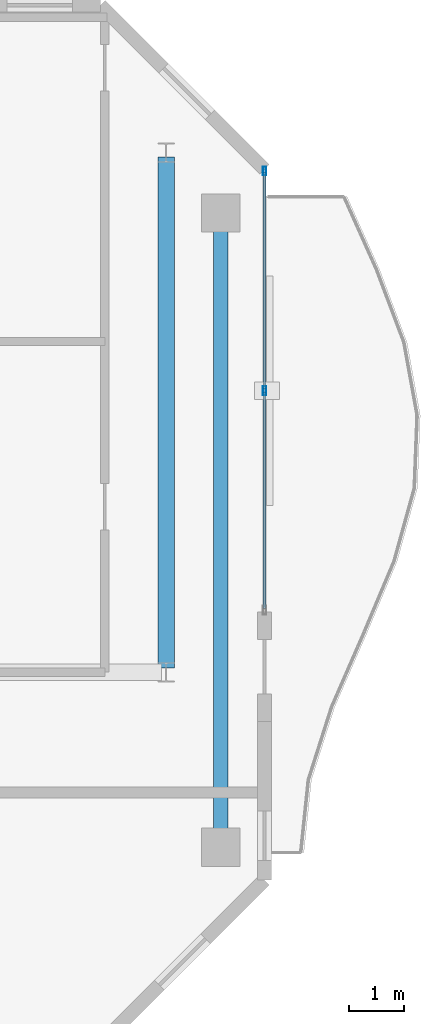
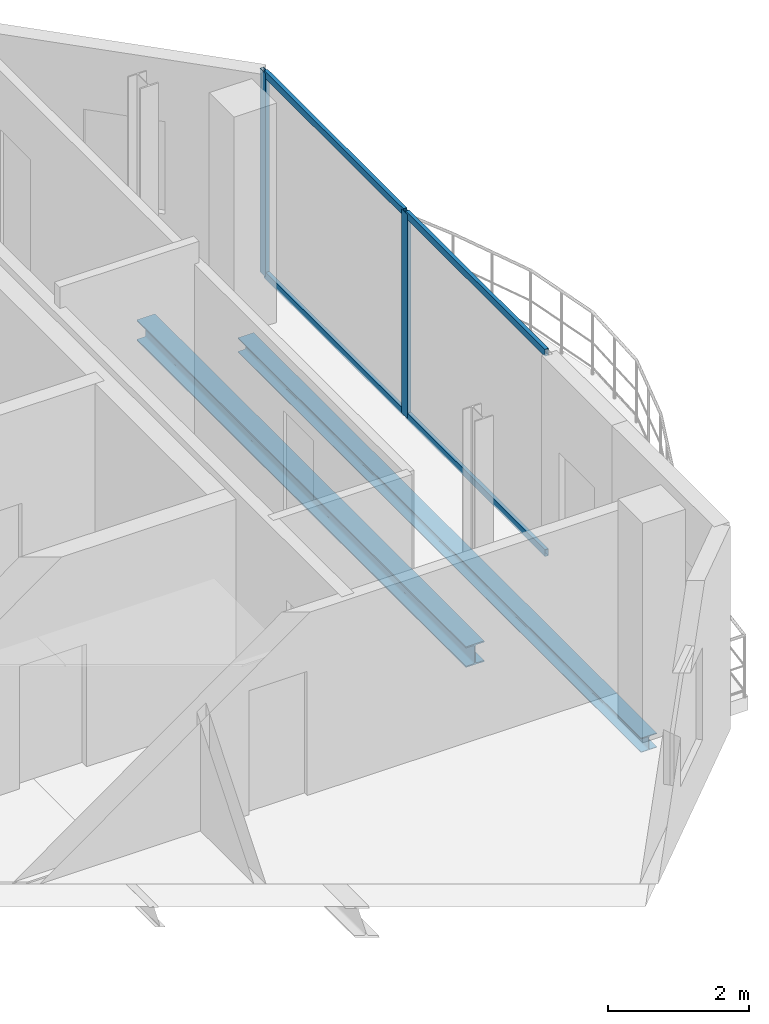
# One storey, part 15 of 22: 6 members, 2 beams, 1 element without a shape of its own.
"""IFC4 building model written with IfcOpenShell, lengths in metres."""

from ifc_helpers import new_model, si_unit, direction, frame, origin, origin_2d, place, context, subcontext, project, spatial, hollow_rectangle, i_section, extrude, material, layer, layer_set, material_profile, profile_set, type_object, element, aggregate, save


model = new_model("IFC4")

# Units and contexts
model_context = context("Model", 3, precision=1e-05, world=origin(), true_north=direction((0.0, 1.0)))
body_context = subcontext(model_context, "Body", "Model", "MODEL_VIEW")
ifc_project = project(units=[si_unit("LENGTHUNIT", "METRE"), si_unit("AREAUNIT", "SQUARE_METRE"), si_unit("VOLUMEUNIT", "CUBIC_METRE"), si_unit("PLANEANGLEUNIT", "RADIAN"), si_unit("MASSUNIT", "GRAM", prefix="KILO")], contexts=[model_context])

# Site, building, storey
site_placement = place(None, origin())
site = spatial("IfcSite", under=ifc_project, at=site_placement, CompositionType="ELEMENT")
building_placement = place(site_placement, origin())
building = spatial("IfcBuilding", under=site, at=building_placement, Name="Catumbela Crestline Tower", CompositionType="ELEMENT")
storey_placement = place(building_placement, frame((0.0, 0.0, 260.2)))
storey = spatial("IfcBuildingStorey", under=building, at=storey_placement, Name="L67", CompositionType="ELEMENT", Elevation=260.2)

# Beam
ifc_material_1 = material(Name="Structural steel S355J2", Category="steel")
ifc_material_profile_1 = material_profile(ifc_material_1, i_section(OverallWidth=0.3, OverallDepth=0.36, WebThickness=0.0125, FlangeThickness=0.0225, FilletRadius=0.027, at=origin_2d()), Name="HEB 360")
ifc_profile_set_1 = profile_set([ifc_material_profile_1], Name="Structural steel S355J2")
beam_type_1 = type_object("IfcBeamType", Name="BG-HEB360", PredefinedType="BEAM", material=ifc_profile_set_1)
beam_1_placement = place(storey_placement, frame((44.2, 30.88, -0.44), z_axis=(0.0, 1.0, 0.0), x_axis=(-1.0, 0.0, 0.0)))
element("IfcBeam", 1, at=beam_1_placement, inside=storey, type_object=beam_type_1, Name="L67 Beam BM-L67-SN19", PredefinedType="BEAM", context=body_context, shape_type="SweptSolid", body=[
    extrude(i_section(OverallWidth=0.3, OverallDepth=0.36, WebThickness=0.0125, FlangeThickness=0.0225, FilletRadius=0.027, at=origin_2d()), origin(), (0.0, 0.0, 1.0), 9.34),
])

# Curtain wall, members
ifc_material_2 = material(Name="Aluminium alloy AW-6060-T66", Category="aluminium")
ifc_layer = layer(ifc_material_2, 0.18, Name="Aluminium alloy AW-6060-T66")
ifc_layer_set = layer_set([ifc_layer], Name="Aluminium alloy AW-6060-T66")
curtain_wall_type = type_object("IfcCurtainWallType", Name="CWU-Z4", PredefinedType="USERDEFINED", material=ifc_layer_set)
curtain_wall_placement = place(storey_placement, origin())
curtain_wall = element("IfcCurtainWall", 2, at=curtain_wall_placement, inside=storey, type_object=curtain_wall_type, Name="L67 Unitised Curtain Wall CW-L67-E5S2", ObjectType="UNITISED", PredefinedType="USERDEFINED")
ifc_material_profile_2 = material_profile(ifc_material_2, hollow_rectangle(XDim=0.06, YDim=0.16, WallThickness=0.004, at=origin_2d()), Name="ALU 160x60x4")
ifc_profile_set_2 = profile_set([ifc_material_profile_2], Name="Aluminium alloy AW-6060-T66")
member_type_1 = type_object("IfcMemberType", Name="MUL-160X60", PredefinedType="MULLION", material=ifc_profile_set_2)
member_1_placement = place(storey_placement, frame((46.0, 35.95, 0.0), z_axis=(0.0, 0.0, 1.0), x_axis=(-1.0, 0.0, 0.0)))
member_1 = element("IfcMember", 3, at=member_1_placement, type_object=member_type_1, Name="CWU-Z4 mullion 2", PredefinedType="MULLION", context=body_context, shape_type="SweptSolid", body=[
    extrude(hollow_rectangle(XDim=0.06, YDim=0.16, WallThickness=0.004, at=origin_2d()), origin(), (0.0, 0.0, 1.0), 3.53),
])
member_2_placement = place(storey_placement, frame((46.0, 39.9675, 0.0), z_axis=(0.0, 0.0, 1.0), x_axis=(-1.0, 0.0, 0.0)))
member_2 = element("IfcMember", 4, at=member_2_placement, type_object=member_type_1, Name="CWU-Z4 mullion 3", PredefinedType="MULLION", context=body_context, shape_type="SweptSolid", body=[
    extrude(hollow_rectangle(XDim=0.06, YDim=0.16, WallThickness=0.004, at=origin_2d()), origin(), (0.0, 0.0, 1.0), 3.53),
])

# Beam
ifc_material_profile_3 = material_profile(ifc_material_1, i_section(OverallWidth=0.26, OverallDepth=0.25, WebThickness=0.0075, FlangeThickness=0.0125, FilletRadius=0.024, at=origin_2d()), Name="HEA 260")
ifc_profile_set_3 = profile_set([ifc_material_profile_3], Name="Structural steel S355J2")
beam_type_2 = type_object("IfcBeamType", Name="BS-HEA260", PredefinedType="SPANDREL", material=ifc_profile_set_3)
beam_2_placement = place(storey_placement, frame((45.2, 27.68, -0.385), z_axis=(0.0, 1.0, 0.0), x_axis=(-1.0, 0.0, 0.0)))
element("IfcBeam", 5, at=beam_2_placement, inside=storey, type_object=beam_type_2, Name="L67 Spandrel SP-L67-SN20", PredefinedType="SPANDREL", context=body_context, shape_type="SweptSolid", body=[
    extrude(i_section(OverallWidth=0.26, OverallDepth=0.25, WebThickness=0.0075, FlangeThickness=0.0125, FilletRadius=0.024, at=origin_2d()), origin(), (0.0, 0.0, 1.0), 11.44),
])

# Member
ifc_material_profile_4 = material_profile(ifc_material_2, hollow_rectangle(XDim=0.06, YDim=0.12, WallThickness=0.0035, at=origin_2d()), Name="ALU 120x60x3.5")
ifc_profile_set_4 = profile_set([ifc_material_profile_4], Name="Aluminium alloy AW-6060-T66")
member_type_2 = type_object("IfcMemberType", Name="TRN-120X60", PredefinedType="USERDEFINED", material=ifc_profile_set_4)
member_3_placement = place(storey_placement, frame((46.0, 31.965, 0.03), z_axis=(0.0, 1.0, 0.0), x_axis=(-1.0, 0.0, 0.0)))
member_3 = element("IfcMember", 6, at=member_3_placement, type_object=member_type_2, Name="CWU-Z4 transom 1.1", ObjectType="TRANSOM", PredefinedType="USERDEFINED", context=body_context, shape_type="SweptSolid", body=[
    extrude(hollow_rectangle(XDim=0.06, YDim=0.12, WallThickness=0.0035, at=origin_2d()), origin(), (0.0, 0.0, 1.0), 3.9525),
])

member_4_placement = place(storey_placement, frame((46.0, 31.965, 3.5), z_axis=(0.0, 1.0, 0.0), x_axis=(-1.0, 0.0, 0.0)))
member_4 = element("IfcMember", 7, at=member_4_placement, type_object=member_type_2, Name="CWU-Z4 transom 1.2", ObjectType="TRANSOM", PredefinedType="USERDEFINED", context=body_context, shape_type="SweptSolid", body=[
    extrude(hollow_rectangle(XDim=0.06, YDim=0.12, WallThickness=0.0035, at=origin_2d()), origin(), (0.0, 0.0, 1.0), 3.9525),
])

member_5_placement = place(storey_placement, frame((46.0, 35.9825, 0.03), z_axis=(0.0, 1.0, 0.0), x_axis=(-1.0, 0.0, 0.0)))
member_5 = element("IfcMember", 8, at=member_5_placement, type_object=member_type_2, Name="CWU-Z4 transom 2.1", ObjectType="TRANSOM", PredefinedType="USERDEFINED", context=body_context, shape_type="SweptSolid", body=[
    extrude(hollow_rectangle(XDim=0.06, YDim=0.12, WallThickness=0.0035, at=origin_2d()), origin(), (0.0, 0.0, 1.0), 3.9525),
])

member_6_placement = place(storey_placement, frame((46.0, 35.9825, 3.5), z_axis=(0.0, 1.0, 0.0), x_axis=(-1.0, 0.0, 0.0)))
member_6 = element("IfcMember", 9, at=member_6_placement, type_object=member_type_2, Name="CWU-Z4 transom 2.2", ObjectType="TRANSOM", PredefinedType="USERDEFINED", context=body_context, shape_type="SweptSolid", body=[
    extrude(hollow_rectangle(XDim=0.06, YDim=0.12, WallThickness=0.0035, at=origin_2d()), origin(), (0.0, 0.0, 1.0), 3.9525),
])

aggregate(curtain_wall, [member_1, member_2, member_3, member_4, member_5, member_6])

save(model, "model.ifc")
